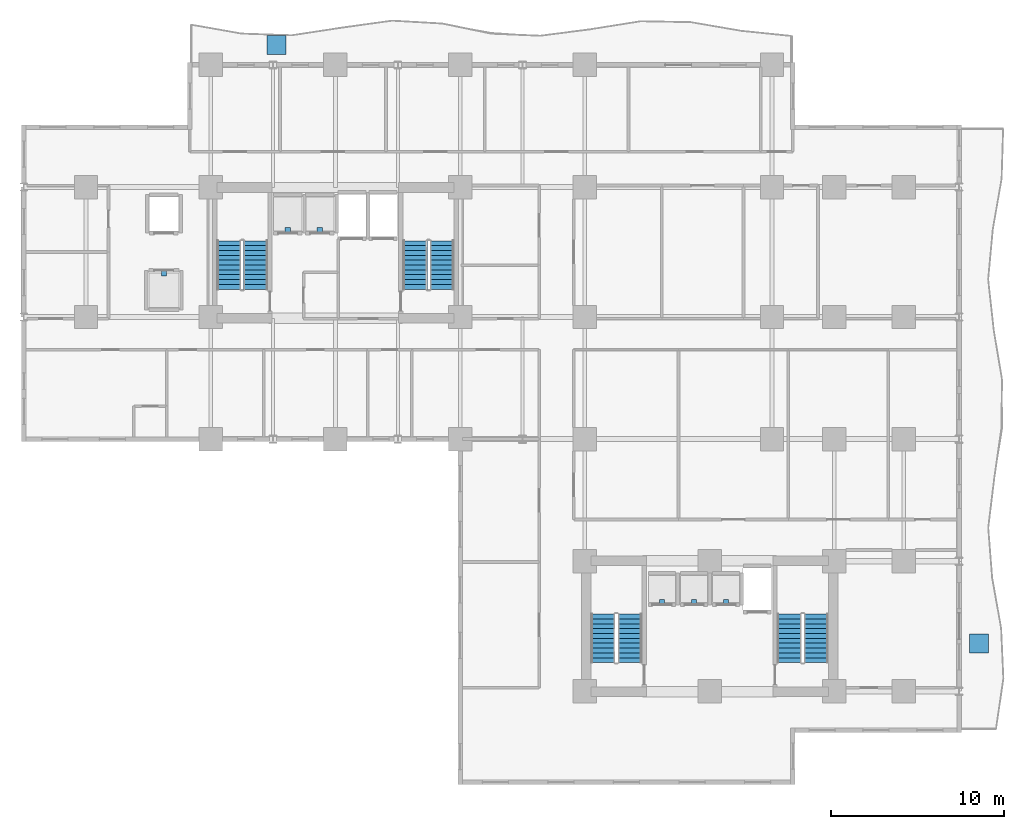
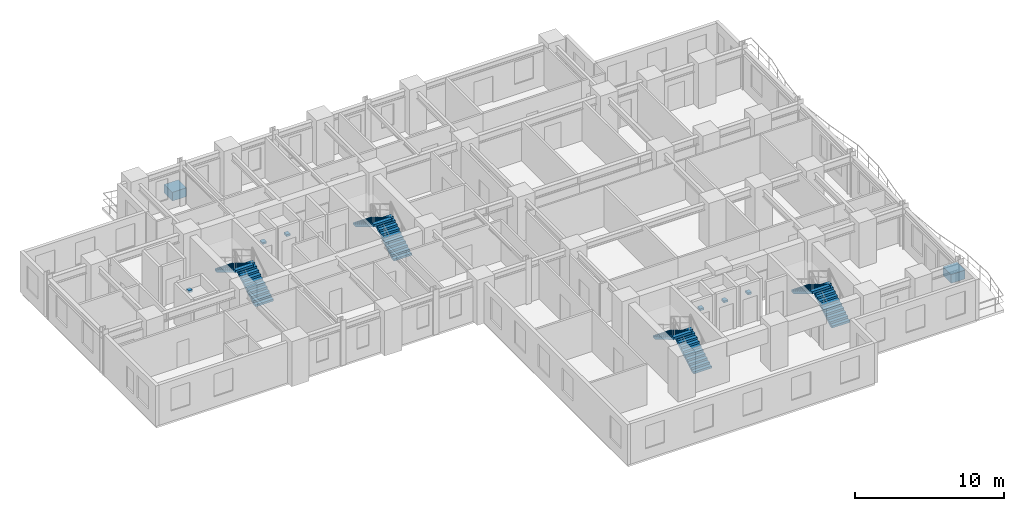
# One storey, part 8 of 12: 8 discrete accessories, 8 stair flights, 4 elements without a shape of their own.
"""IFC4 building model written with IfcOpenShell, lengths in metres."""

from ifc_helpers import new_model, si_unit, direction, frame, origin, origin_2d, place, context, subcontext, project, spatial, polyline, rectangle, outline, extrude, source, transform, mapped, material, type_object, element, aggregate, save


model = new_model("IFC4")

# Units and contexts
model_context = context("Model", 3, precision=1e-05, world=origin(), true_north=direction((0.0, 1.0)))
body_context = subcontext(model_context, "Body", "Model", "MODEL_VIEW")
ifc_project = project(units=[si_unit("LENGTHUNIT", "METRE"), si_unit("AREAUNIT", "SQUARE_METRE"), si_unit("VOLUMEUNIT", "CUBIC_METRE"), si_unit("PLANEANGLEUNIT", "RADIAN"), si_unit("MASSUNIT", "GRAM", prefix="KILO")], contexts=[model_context])

# Site, building, storey
site_placement = place(None, origin())
site = spatial("IfcSite", under=ifc_project, at=site_placement, CompositionType="ELEMENT")
building_placement = place(site_placement, origin())
building = spatial("IfcBuilding", under=site, at=building_placement, Name="Kaliganga Portal Commons", CompositionType="ELEMENT")
storey_placement = place(building_placement, frame((0.0, 0.0, 69.699951171875)))
storey = spatial("IfcBuildingStorey", under=building, at=storey_placement, Name="L17", CompositionType="ELEMENT", Elevation=69.699951171875)

# Stair, stair flights
ifc_material_1 = material(Name="Concrete C40/50", Category="concrete")
stair_type = type_object("IfcStairType", Name="ST-CORE-DOGLEG", PredefinedType="HALF_TURN_STAIR", material=ifc_material_1)
stair_1_placement = place(storey_placement, origin())
stair_1 = element("IfcStair", 1, at=stair_1_placement, inside=storey, type_object=stair_type, Name="L17 Protected Exit Stair ST-A1", PredefinedType="HALF_TURN_STAIR")
stair_flight_type = type_object("IfcStairFlightType", Name="STF-RC-1400", PredefinedType="STRAIGHT", material=ifc_material_1)
stair_flight_1_placement = place(storey_placement, frame((17.0, 30.25, 0.0), z_axis=(0.0, 0.0, 1.0), x_axis=(0.0, 1.0, 0.0)))
stair_flight_1 = element("IfcStairFlight", 2, at=stair_flight_1_placement, type_object=stair_flight_type, Name="ST-A1 flight 1", NumberOfRisers=11, NumberOfTreads=10, PredefinedType="STRAIGHT", RiserHeight=0.168181818, TreadLength=0.28, context=body_context, shape_type="SweptSolid", body=[
    extrude(outline(polyline([(0.0, 0.0), (0.0, 0.168212890625), (0.280029296875, 0.168212890625), (0.280029296875, 0.33642578125), (0.56005859375, 0.33642578125), (0.56005859375, 0.504638671875), (0.840087890625, 0.504638671875), (0.840087890625, 0.672607421875), (1.1201171875, 0.672607421875), (1.1201171875, 0.8408203125), (1.39990234375, 0.8408203125), (1.39990234375, 1.009033203125), (1.679931640625, 1.009033203125), (1.679931640625, 1.17724609375), (1.9599609375, 1.17724609375), (1.9599609375, 1.345458984375), (2.239990234375, 1.345458984375), (2.239990234375, 1.513671875), (2.52001953125, 1.513671875), (2.52001953125, 1.681884765625), (2.800048828125, 1.681884765625), (2.800048828125, 1.85009765625), (2.800048828125, 1.5068359375), (0.291015625, 0.0), (0.0, 0.0)])), frame((0.0, 0.699951171875, 0.0), z_axis=(0.0, -1.0, 0.0), x_axis=(1.0, 0.0, 0.0)), (0.0, 0.0, 1.0), 1.39990234375),
])
stair_flight_2_placement = place(storey_placement, frame((15.449951171875, 33.050048828125, 1.85009765625), z_axis=(0.0, 0.0, 1.0), x_axis=(0.0, -1.0, 0.0)))
stair_flight_2 = element("IfcStairFlight", 3, at=stair_flight_2_placement, type_object=stair_flight_type, Name="ST-A1 flight 2", NumberOfRisers=11, NumberOfTreads=10, PredefinedType="STRAIGHT", RiserHeight=0.168181818, TreadLength=0.28, context=body_context, shape_type="SweptSolid", body=[
    extrude(outline(polyline([(0.0, 0.0), (0.0, 0.168212890625), (0.280029296875, 0.168212890625), (0.280029296875, 0.33642578125), (0.56005859375, 0.33642578125), (0.56005859375, 0.504638671875), (0.840087890625, 0.504638671875), (0.840087890625, 0.672607421875), (1.1201171875, 0.672607421875), (1.1201171875, 0.8408203125), (1.39990234375, 0.8408203125), (1.39990234375, 1.009033203125), (1.679931640625, 1.009033203125), (1.679931640625, 1.17724609375), (1.9599609375, 1.17724609375), (1.9599609375, 1.345458984375), (2.239990234375, 1.345458984375), (2.239990234375, 1.513671875), (2.52001953125, 1.513671875), (2.52001953125, 1.681884765625), (2.800048828125, 1.681884765625), (2.800048828125, 1.85009765625), (2.800048828125, 1.5068359375), (0.291015625, 0.0), (0.0, 0.0)])), frame((0.0, 0.699951171875, 0.0), z_axis=(0.0, -1.0, 0.0), x_axis=(1.0, 0.0, 0.0)), (0.0, 0.0, 1.0), 1.39990234375),
])
aggregate(stair_1, [stair_flight_1, stair_flight_2])

stair_2_placement = place(storey_placement, origin())
stair_2 = element("IfcStair", 4, at=stair_2_placement, inside=storey, type_object=stair_type, Name="L17 Protected Exit Stair ST-A2", PredefinedType="HALF_TURN_STAIR")
stair_flight_3_placement = place(storey_placement, frame((27.75, 30.25, 0.0), z_axis=(0.0, 0.0, 1.0), x_axis=(0.0, 1.0, 0.0)))
stair_flight_3 = element("IfcStairFlight", 5, at=stair_flight_3_placement, type_object=stair_flight_type, Name="ST-A2 flight 1", NumberOfRisers=11, NumberOfTreads=10, PredefinedType="STRAIGHT", RiserHeight=0.168181818, TreadLength=0.28, context=body_context, shape_type="SweptSolid", body=[
    extrude(outline(polyline([(0.0, 0.0), (0.0, 0.168212890625), (0.280029296875, 0.168212890625), (0.280029296875, 0.33642578125), (0.56005859375, 0.33642578125), (0.56005859375, 0.504638671875), (0.840087890625, 0.504638671875), (0.840087890625, 0.672607421875), (1.1201171875, 0.672607421875), (1.1201171875, 0.8408203125), (1.39990234375, 0.8408203125), (1.39990234375, 1.009033203125), (1.679931640625, 1.009033203125), (1.679931640625, 1.17724609375), (1.9599609375, 1.17724609375), (1.9599609375, 1.345458984375), (2.239990234375, 1.345458984375), (2.239990234375, 1.513671875), (2.52001953125, 1.513671875), (2.52001953125, 1.681884765625), (2.800048828125, 1.681884765625), (2.800048828125, 1.85009765625), (2.800048828125, 1.5068359375), (0.291015625, 0.0), (0.0, 0.0)])), frame((0.0, 0.699951171875, 0.0), z_axis=(0.0, -1.0, 0.0), x_axis=(1.0, 0.0, 0.0)), (0.0, 0.0, 1.0), 1.39990234375),
])
stair_flight_4_placement = place(storey_placement, frame((26.199951171875, 33.050048828125, 1.85009765625), z_axis=(0.0, 0.0, 1.0), x_axis=(0.0, -1.0, 0.0)))
stair_flight_4 = element("IfcStairFlight", 6, at=stair_flight_4_placement, type_object=stair_flight_type, Name="ST-A2 flight 2", NumberOfRisers=11, NumberOfTreads=10, PredefinedType="STRAIGHT", RiserHeight=0.168181818, TreadLength=0.28, context=body_context, shape_type="SweptSolid", body=[
    extrude(outline(polyline([(0.0, 0.0), (0.0, 0.168212890625), (0.280029296875, 0.168212890625), (0.280029296875, 0.33642578125), (0.56005859375, 0.33642578125), (0.56005859375, 0.504638671875), (0.840087890625, 0.504638671875), (0.840087890625, 0.672607421875), (1.1201171875, 0.672607421875), (1.1201171875, 0.8408203125), (1.39990234375, 0.8408203125), (1.39990234375, 1.009033203125), (1.679931640625, 1.009033203125), (1.679931640625, 1.17724609375), (1.9599609375, 1.17724609375), (1.9599609375, 1.345458984375), (2.239990234375, 1.345458984375), (2.239990234375, 1.513671875), (2.52001953125, 1.513671875), (2.52001953125, 1.681884765625), (2.800048828125, 1.681884765625), (2.800048828125, 1.85009765625), (2.800048828125, 1.5068359375), (0.291015625, 0.0), (0.0, 0.0)])), frame((0.0, 0.699951171875, 0.0), z_axis=(0.0, -1.0, 0.0), x_axis=(1.0, 0.0, 0.0)), (0.0, 0.0, 1.0), 1.39990234375),
])
aggregate(stair_2, [stair_flight_3, stair_flight_4])

stair_3_placement = place(storey_placement, origin())
stair_3 = element("IfcStair", 7, at=stair_3_placement, inside=storey, type_object=stair_type, Name="L17 Protected Exit Stair ST-B1", PredefinedType="HALF_TURN_STAIR")
stair_flight_5_placement = place(storey_placement, frame((38.60009765625, 8.699951171875, 0.0), z_axis=(0.0, 0.0, 1.0), x_axis=(0.0, 1.0, 0.0)))
stair_flight_5 = element("IfcStairFlight", 8, at=stair_flight_5_placement, type_object=stair_flight_type, Name="ST-B1 flight 1", NumberOfRisers=11, NumberOfTreads=10, PredefinedType="STRAIGHT", RiserHeight=0.168181818, TreadLength=0.28, context=body_context, shape_type="SweptSolid", body=[
    extrude(outline(polyline([(0.0, 0.0), (0.0, 0.168212890625), (0.280029296875, 0.168212890625), (0.280029296875, 0.33642578125), (0.56005859375, 0.33642578125), (0.56005859375, 0.504638671875), (0.840087890625, 0.504638671875), (0.840087890625, 0.672607421875), (1.1201171875, 0.672607421875), (1.1201171875, 0.8408203125), (1.39990234375, 0.8408203125), (1.39990234375, 1.009033203125), (1.679931640625, 1.009033203125), (1.679931640625, 1.17724609375), (1.9599609375, 1.17724609375), (1.9599609375, 1.345458984375), (2.239990234375, 1.345458984375), (2.239990234375, 1.513671875), (2.52001953125, 1.513671875), (2.52001953125, 1.681884765625), (2.800048828125, 1.681884765625), (2.800048828125, 1.85009765625), (2.800048828125, 1.5068359375), (0.291015625, 0.0), (0.0, 0.0)])), frame((0.0, 0.699951171875, 0.0), z_axis=(0.0, -1.0, 0.0), x_axis=(1.0, 0.0, 0.0)), (0.0, 0.0, 1.0), 1.39990234375),
])
stair_flight_6_placement = place(storey_placement, frame((37.050048828125, 11.5, 1.85009765625), z_axis=(0.0, 0.0, 1.0), x_axis=(0.0, -1.0, 0.0)))
stair_flight_6 = element("IfcStairFlight", 9, at=stair_flight_6_placement, type_object=stair_flight_type, Name="ST-B1 flight 2", NumberOfRisers=11, NumberOfTreads=10, PredefinedType="STRAIGHT", RiserHeight=0.168181818, TreadLength=0.28, context=body_context, shape_type="SweptSolid", body=[
    extrude(outline(polyline([(0.0, 0.0), (0.0, 0.168212890625), (0.280029296875, 0.168212890625), (0.280029296875, 0.33642578125), (0.56005859375, 0.33642578125), (0.56005859375, 0.504638671875), (0.840087890625, 0.504638671875), (0.840087890625, 0.672607421875), (1.1201171875, 0.672607421875), (1.1201171875, 0.8408203125), (1.39990234375, 0.8408203125), (1.39990234375, 1.009033203125), (1.679931640625, 1.009033203125), (1.679931640625, 1.17724609375), (1.9599609375, 1.17724609375), (1.9599609375, 1.345458984375), (2.239990234375, 1.345458984375), (2.239990234375, 1.513671875), (2.52001953125, 1.513671875), (2.52001953125, 1.681884765625), (2.800048828125, 1.681884765625), (2.800048828125, 1.85009765625), (2.800048828125, 1.5068359375), (0.291015625, 0.0), (0.0, 0.0)])), frame((0.0, 0.699951171875, 0.0), z_axis=(0.0, -1.0, 0.0), x_axis=(1.0, 0.0, 0.0)), (0.0, 0.0, 1.0), 1.39990234375),
])
aggregate(stair_3, [stair_flight_5, stair_flight_6])

stair_4_placement = place(storey_placement, origin())
stair_4 = element("IfcStair", 10, at=stair_4_placement, inside=storey, type_object=stair_type, Name="L17 Protected Exit Stair ST-B2", PredefinedType="HALF_TURN_STAIR")
stair_flight_7_placement = place(storey_placement, frame((49.35009765625, 8.699951171875, 0.0), z_axis=(0.0, 0.0, 1.0), x_axis=(0.0, 1.0, 0.0)))
stair_flight_7 = element("IfcStairFlight", 11, at=stair_flight_7_placement, type_object=stair_flight_type, Name="ST-B2 flight 1", NumberOfRisers=11, NumberOfTreads=10, PredefinedType="STRAIGHT", RiserHeight=0.168181818, TreadLength=0.28, context=body_context, shape_type="SweptSolid", body=[
    extrude(outline(polyline([(0.0, 0.0), (0.0, 0.168212890625), (0.280029296875, 0.168212890625), (0.280029296875, 0.33642578125), (0.56005859375, 0.33642578125), (0.56005859375, 0.504638671875), (0.840087890625, 0.504638671875), (0.840087890625, 0.672607421875), (1.1201171875, 0.672607421875), (1.1201171875, 0.8408203125), (1.39990234375, 0.8408203125), (1.39990234375, 1.009033203125), (1.679931640625, 1.009033203125), (1.679931640625, 1.17724609375), (1.9599609375, 1.17724609375), (1.9599609375, 1.345458984375), (2.239990234375, 1.345458984375), (2.239990234375, 1.513671875), (2.52001953125, 1.513671875), (2.52001953125, 1.681884765625), (2.800048828125, 1.681884765625), (2.800048828125, 1.85009765625), (2.800048828125, 1.5068359375), (0.291015625, 0.0), (0.0, 0.0)])), frame((0.0, 0.699951171875, 0.0), z_axis=(0.0, -1.0, 0.0), x_axis=(1.0, 0.0, 0.0)), (0.0, 0.0, 1.0), 1.39990234375),
])
stair_flight_8_placement = place(storey_placement, frame((47.800048828125, 11.5, 1.85009765625), z_axis=(0.0, 0.0, 1.0), x_axis=(0.0, -1.0, 0.0)))
stair_flight_8 = element("IfcStairFlight", 12, at=stair_flight_8_placement, type_object=stair_flight_type, Name="ST-B2 flight 2", NumberOfRisers=11, NumberOfTreads=10, PredefinedType="STRAIGHT", RiserHeight=0.168181818, TreadLength=0.28, context=body_context, shape_type="SweptSolid", body=[
    extrude(outline(polyline([(0.0, 0.0), (0.0, 0.168212890625), (0.280029296875, 0.168212890625), (0.280029296875, 0.33642578125), (0.56005859375, 0.33642578125), (0.56005859375, 0.504638671875), (0.840087890625, 0.504638671875), (0.840087890625, 0.672607421875), (1.1201171875, 0.672607421875), (1.1201171875, 0.8408203125), (1.39990234375, 0.8408203125), (1.39990234375, 1.009033203125), (1.679931640625, 1.009033203125), (1.679931640625, 1.17724609375), (1.9599609375, 1.17724609375), (1.9599609375, 1.345458984375), (2.239990234375, 1.345458984375), (2.239990234375, 1.513671875), (2.52001953125, 1.513671875), (2.52001953125, 1.681884765625), (2.800048828125, 1.681884765625), (2.800048828125, 1.85009765625), (2.800048828125, 1.5068359375), (0.291015625, 0.0), (0.0, 0.0)])), frame((0.0, 0.699951171875, 0.0), z_axis=(0.0, -1.0, 0.0), x_axis=(1.0, 0.0, 0.0)), (0.0, 0.0, 1.0), 1.39990234375),
])
aggregate(stair_4, [stair_flight_7, stair_flight_8])

# Discrete accessories
ifc_material_2 = material(Name="Precast concrete C40/50", Category="concrete")
discrete_accessory_type_1 = type_object("IfcDiscreteAccessoryType", Name="DAC-PLANTER-RC", PredefinedType="USERDEFINED", material=ifc_material_2)
shared_shape_1 = source(origin(), body_context, "Body", "SweptSolid", [
    extrude(rectangle(XDim=1.10009765625, YDim=1.10009765625, at=origin_2d()), origin(), (0.0, 0.0, 1.0), 0.719970703125),
])
for number, where, z_axis, x_axis, name in (
    (13, (18.199951171875, 44.35009765625, 0.0), (0.0, 0.0, 1.0), (1.0, 0.0, 0.0), "Structural Tree Planter L17 balc_north"),
    (14, (58.75, 9.800048828125, 0.0), (0.0, 0.0, 1.0), (1.0, 0.0, 0.0), "Structural Tree Planter L17 balc_east"),
):
    element("IfcDiscreteAccessory", number, at=place(storey_placement, frame(where, z_axis=z_axis, x_axis=x_axis)), inside=storey, type_object=discrete_accessory_type_1, Name=name, ObjectType="PLANTER", PredefinedType="USERDEFINED", context=body_context, shape_type="MappedRepresentation", body=[
        mapped(shared_shape_1, transform((0.0, 0.0, 0.0), x_axis=(1.0, 0.0, 0.0), y_axis=(0.0, 1.0, 0.0), z_axis=(0.0, 0.0, 1.0), scale=1.0)),
    ])
ifc_material_3 = material(Name="Structural steel S355J2", Category="steel")
discrete_accessory_type_2 = type_object("IfcDiscreteAccessoryType", Name="DAC-LIFT-GUIDE", PredefinedType="BRACKET", material=ifc_material_3)
shared_shape_2 = source(origin(), body_context, "Body", "SweptSolid", [
    extrude(rectangle(XDim=0.300048828125, YDim=0.360107421875, at=origin_2d()), origin(), (0.0, 0.0, 1.0), 0.159912109375),
])
for number, where, z_axis, x_axis, name in (
    (15, (18.85009765625, 33.625, 2.34033203125), (0.0, 0.0, 1.0), (1.0, 0.0, 0.0), "Lift PL-A1 Guide-Rail Stabilizer Bracket"),
    (16, (20.699951171875, 33.625, 2.34033203125), (0.0, 0.0, 1.0), (1.0, 0.0, 0.0), "Lift PL-A2 Guide-Rail Stabilizer Bracket"),
    (17, (11.699951171875, 31.199951171875, 2.34033203125), (0.0, 0.0, 1.0), (1.0, 0.0, 0.0), "Lift SH-1 Guide-Rail Stabilizer Bracket"),
    (18, (40.449951171875, 12.175048828125, 2.34033203125), (0.0, 0.0, 1.0), (1.0, 0.0, 0.0), "Lift PL-B1 Guide-Rail Stabilizer Bracket"),
    (19, (42.300048828125, 12.175048828125, 2.34033203125), (0.0, 0.0, 1.0), (1.0, 0.0, 0.0), "Lift PL-B2 Guide-Rail Stabilizer Bracket"),
    (20, (44.14990234375, 12.175048828125, 2.34033203125), (0.0, 0.0, 1.0), (1.0, 0.0, 0.0), "Lift SH-2 Guide-Rail Stabilizer Bracket"),
):
    element("IfcDiscreteAccessory", number, at=place(storey_placement, frame(where, z_axis=z_axis, x_axis=x_axis)), inside=storey, type_object=discrete_accessory_type_2, Name=name, PredefinedType="BRACKET", context=body_context, shape_type="MappedRepresentation", body=[
        mapped(shared_shape_2, transform((0.0, 0.0, 0.0), x_axis=(1.0, 0.0, 0.0), y_axis=(0.0, 1.0, 0.0), z_axis=(0.0, 0.0, 1.0), scale=1.0)),
    ])

save(model, "model.ifc")
